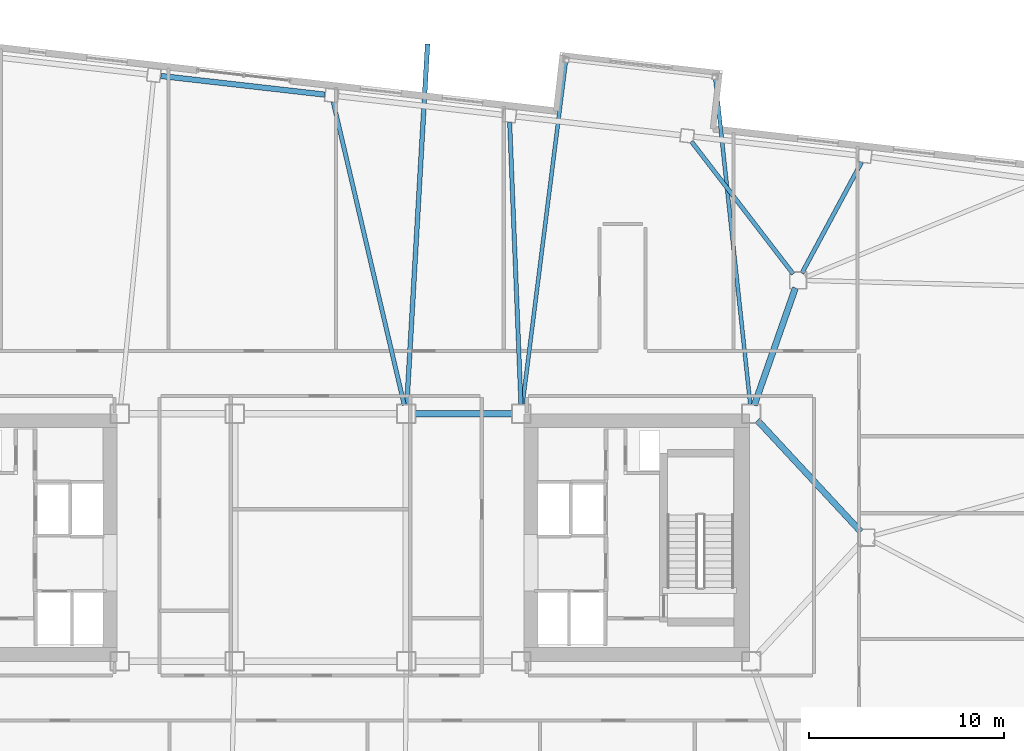
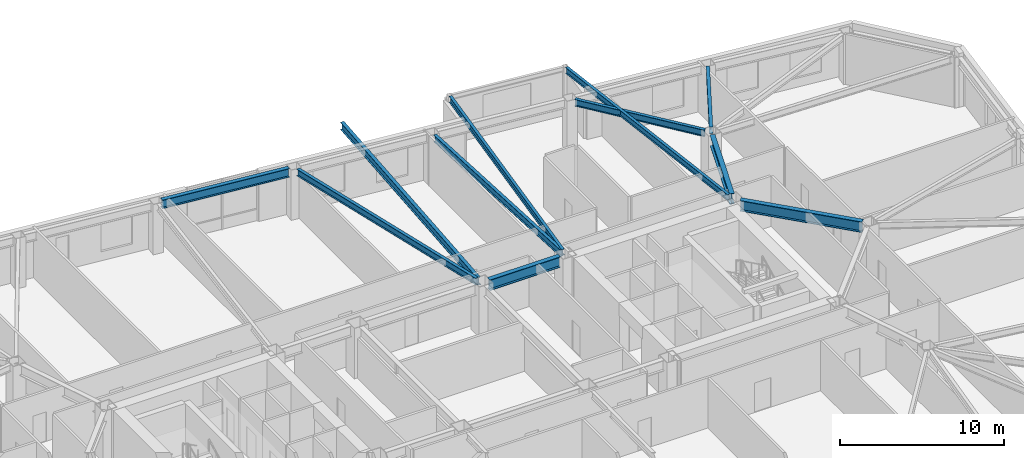
# One storey, part 9 of 21: 11 beams.
"""IFC4 building model written with IfcOpenShell, lengths in metres."""

import ifcopenshell
import ifcopenshell.guid

model = None  # the IFC model being written
_history = None  # IfcOwnerHistory: only IFC2X3 demands one
_inside = {}  # id of a spatial element -> (the spatial element, [elements in it])
_under = {}  # id of a project, library or spatial element -> (it, [spatial elements below it])
_declared = {}  # id of a project -> (the project, [libraries it declares])
_typed = {}  # id of a type object -> (the type object, [elements of that type])
_made_of = {}  # id of a material, layer set ... -> (it, [elements and type objects made of it])


def new_model(schema):
    """Start an empty IFC model of exactly this schema.

    Asked for "IFC4X3", IfcOpenShell would pick the latest addendum, in which some entities
    have other attributes; the version numbers below select the first issue.
    IFC2X3 requires an IfcOwnerHistory on every rooted entity: one is made here for all.
    """
    global model, _history
    if schema == "IFC4X3":
        model = ifcopenshell.file(schema_version=(4, 3, 0, 0))
    else:
        model = ifcopenshell.file(schema=schema)
    _inside.clear()
    _under.clear()
    _declared.clear()
    _typed.clear()
    _made_of.clear()
    _history = None
    if model.schema == "IFC2X3":
        org = make("IfcOrganization", Name="unknown")
        user = make(
            "IfcPersonAndOrganization",
            ThePerson=make("IfcPerson", FamilyName="unknown"),
            TheOrganization=org,
        )
        app = make(
            "IfcApplication",
            ApplicationDeveloper=org,
            Version="unknown",
            ApplicationFullName="unknown",
            ApplicationIdentifier="unknown",
        )
        _history = make(
            "IfcOwnerHistory",
            OwningUser=user,
            OwningApplication=app,
            ChangeAction="ADDED",
            CreationDate=0,
        )
    return model


def make(cls, **values):
    """One entity of the class cls with the attributes given. An attribute that is None is left unset."""
    return model.create_entity(
        cls, **{name: value for name, value in values.items() if value is not None}
    )


def rooted(cls, **values):
    """An entity with a GlobalId (a new one), such as an element, a storey or a relation."""
    return make(cls, GlobalId=ifcopenshell.guid.new(), OwnerHistory=_history, **values)


def si_unit(unit_type, name, prefix=None):
    """IfcSIUnit, for example si_unit("LENGTHUNIT", "METRE", prefix="MILLI")."""
    return make("IfcSIUnit", UnitType=unit_type, Prefix=prefix, Name=name)


def assignment(units):
    """IfcUnitAssignment: the units of a project."""
    return None if units is None else make("IfcUnitAssignment", Units=units)


def point(xyz):
    """IfcCartesianPoint."""
    return None if xyz is None else make("IfcCartesianPoint", Coordinates=xyz)


def direction(xyz):
    """IfcDirection."""
    return None if xyz is None else make("IfcDirection", DirectionRatios=xyz)


def frame(location, z_axis=None, x_axis=None):
    """IfcAxis2Placement3D, a coordinate frame: its origin and axes. An axis left out is left unset."""
    return make(
        "IfcAxis2Placement3D",
        Location=point(location),
        Axis=direction(z_axis),
        RefDirection=direction(x_axis),
    )


def frame_2d(location, x_axis=None):
    """IfcAxis2Placement2D, a coordinate frame in the plane: its origin and x axis."""
    return make(
        "IfcAxis2Placement2D", Location=point(location), RefDirection=direction(x_axis)
    )


def origin():
    """The frame at (0, 0, 0) with its axes left unset."""
    return frame((0.0, 0.0, 0.0))


def origin_2d():
    """The frame at (0, 0) in the plane with its x axis left unset."""
    return frame_2d((0.0, 0.0))


def place(relative_to, where):
    """IfcLocalPlacement: puts the frame where relative to a parent placement (None: the world)."""
    return make(
        "IfcLocalPlacement", PlacementRelTo=relative_to, RelativePlacement=where
    )


def context(
    kind, dimensions, precision=None, world=None, true_north=None, identifier=None
):
    """IfcGeometricRepresentationContext, for example the 3D "Model" context."""
    return make(
        "IfcGeometricRepresentationContext",
        ContextIdentifier=identifier,
        ContextType=kind,
        CoordinateSpaceDimension=dimensions,
        Precision=precision,
        WorldCoordinateSystem=world,
        TrueNorth=true_north,
    )


def subcontext(parent, identifier, kind, view, scale=None):
    """IfcGeometricRepresentationSubContext, for example "Body" below "Model"."""
    return make(
        "IfcGeometricRepresentationSubContext",
        ContextIdentifier=identifier,
        ContextType=kind,
        ParentContext=parent,
        TargetScale=scale,
        TargetView=view,
    )


def project(units=None, contexts=None):
    """IfcProject with its units and contexts."""
    return rooted(
        "IfcProject",
        Name="project",
        RepresentationContexts=contexts,
        UnitsInContext=assignment(units),
    )


def spatial(cls, under=None, at=None, **own):
    """A site, building, storey or space (cls), placed at a placement, below another one or the project."""
    s = rooted(cls, ObjectPlacement=at, **own)
    if under is not None:
        _under.setdefault(under.id(), (under, []))[1].append(s)
    return s


def profile(cls, at=None, kind="AREA", **sizes):
    """A parametric profile (cls). Its sizes go by their IFC names, for example OverallWidth=200.0."""
    return make(cls, ProfileType=kind, Position=at, **sizes)


def i_section(**sizes):
    """IfcIShapeProfileDef."""
    return profile("IfcIShapeProfileDef", **sizes)


def extrude(swept, where, along, depth):
    """IfcExtrudedAreaSolid: the profile swept, set in the frame where, extruded along a direction by depth."""
    return make(
        "IfcExtrudedAreaSolid",
        SweptArea=swept,
        Position=where,
        ExtrudedDirection=direction(along),
        Depth=depth,
    )


def shape(context_of_items, identifier, shape_type, items):
    """IfcShapeRepresentation: the items that make up one representation, for example the "Body"."""
    return make(
        "IfcShapeRepresentation",
        ContextOfItems=context_of_items,
        RepresentationIdentifier=identifier,
        RepresentationType=shape_type,
        Items=items,
    )


def material(Name=None, Category=None):
    """IfcMaterial."""
    return make("IfcMaterial", Name=Name, Category=Category)


def material_profile(
    of_material, cross_section, Name=None, Category=None, Priority=None
):
    """IfcMaterialProfile: a cross section and its material."""
    return make(
        "IfcMaterialProfile",
        Name=Name,
        Material=of_material,
        Profile=cross_section,
        Priority=Priority,
        Category=Category,
    )


def profile_set(profiles, Name=None, composite=None):
    """IfcMaterialProfileSet."""
    return make(
        "IfcMaterialProfileSet",
        Name=Name,
        MaterialProfiles=profiles,
        CompositeProfile=composite,
    )


def made_of(thing, what):
    """Note that an element or type object is made of a material, layer set ...; save() writes the relation."""
    if what is not None:
        _made_of.setdefault(what.id(), (what, []))[1].append(thing)
    return thing


def type_object(cls, material=None, **own):
    """A type object (cls), such as IfcWallType, which elements share."""
    return made_of(rooted(cls, **own), material)


def element(
    cls,
    number,
    at=None,
    inside=None,
    cuts=None,
    type_object=None,
    material=None,
    context=None,
    identifier="Body",
    shape_type=None,
    held_by="IfcProductDefinitionShape",
    body=None,
    shapes=None,
    **own,
):
    """One element of the class cls, such as IfcWall. Its Tag is "e" and its number.

    at: its placement. inside: the storey or other place that contains it. cuts: it is an
    opening in that element (IfcRelVoidsElement). A single representation is given by context,
    identifier, shape_type and body (its items); several are given by shapes. held_by: the class
    of the entity that holds the representations. save() writes the other relations.
    """
    e = rooted(cls, Tag="e%d" % number, ObjectPlacement=at, **own)
    if body is not None:
        shapes = [shape(context, identifier, shape_type, body)]
    if shapes is not None:
        e.Representation = make(held_by, Representations=shapes)
    if inside is not None:
        _inside.setdefault(inside.id(), (inside, []))[1].append(e)
    if cuts is not None:
        rooted(
            "IfcRelVoidsElement", RelatingBuildingElement=cuts, RelatedOpeningElement=e
        )
    if type_object is not None:
        _typed.setdefault(type_object.id(), (type_object, []))[1].append(e)
    return made_of(e, material)


def aggregate(whole, parts):
    """IfcRelAggregates: a whole, such as a stair, and the parts it consists of."""
    return rooted("IfcRelAggregates", RelatingObject=whole, RelatedObjects=parts)


def save(model, path):
    """Write the relations noted so far, then the file.

    IfcRelAggregates (storeys below a building ...), IfcRelContainedInSpatialStructure (elements
    in a storey), IfcRelDefinesByType, IfcRelAssociatesMaterial and IfcRelDeclares: one each for
    every whole, place, type object, material and project.
    """
    for whole, parts in _under.values():
        aggregate(whole, parts)
    for where, things in _inside.values():
        rooted(
            "IfcRelContainedInSpatialStructure",
            RelatedElements=things,
            RelatingStructure=where,
        )
    for kind, things in _typed.values():
        rooted("IfcRelDefinesByType", RelatedObjects=things, RelatingType=kind)
    for what, things in _made_of.values():
        rooted("IfcRelAssociatesMaterial", RelatedObjects=things, RelatingMaterial=what)
    for by, libraries in _declared.values():
        rooted("IfcRelDeclares", RelatingContext=by, RelatedDefinitions=libraries)
    model.write(path)


model = new_model("IFC4")

# Units and contexts
model_context = context("Model", 3, precision=1e-05, world=origin(), true_north=direction((0.0, 1.0)))
body_context = subcontext(model_context, "Body", "Model", "MODEL_VIEW")
ifc_project = project(units=[si_unit("LENGTHUNIT", "METRE"), si_unit("AREAUNIT", "SQUARE_METRE"), si_unit("VOLUMEUNIT", "CUBIC_METRE"), si_unit("PLANEANGLEUNIT", "RADIAN"), si_unit("MASSUNIT", "GRAM", prefix="KILO")], contexts=[model_context])

# Site, building, storey
site_placement = place(None, origin())
site = spatial("IfcSite", under=ifc_project, at=site_placement, CompositionType="ELEMENT")
building_placement = place(site_placement, origin())
building = spatial("IfcBuilding", under=site, at=building_placement, Name="Tavrogorsk Clinical Tower", CompositionType="ELEMENT")
storey_placement = place(building_placement, frame((0.0, 0.0, 121.39990234375)))
storey = spatial("IfcBuildingStorey", under=building, at=storey_placement, Name="L27", CompositionType="ELEMENT", Elevation=121.39990234375)

# Beams
ifc_material_1 = material(Name="Structural steel S355", Category="steel")
ifc_material_profile_1 = material_profile(ifc_material_1, i_section(OverallWidth=0.199951171875, OverallDepth=0.449951171875, WebThickness=0.011474609375, FlangeThickness=0.01806640625, at=origin_2d()), Name="B-450x200x11.5x18")
ifc_profile_set_1 = profile_set([ifc_material_profile_1], Name="Structural steel S355")
beam_type_1 = type_object("IfcBeamType", Name="FloorBeam_B450", PredefinedType="BEAM", material=ifc_profile_set_1)
beam_1_placement = place(storey_placement, frame((10.357666015625, 6.806396484375, 3.51513671875), z_axis=(0.125313964382, 0.992117135388, 0.0), x_axis=(-0.992117135388, 0.125313964382, 0.0)))
element("IfcBeam", 1, at=beam_1_placement, inside=storey, type_object=beam_type_1, Name="L27 Day-Room Cantilever Beam DRB-04-L", PredefinedType="BEAM", context=body_context, shape_type="SweptSolid", body=[
    extrude(i_section(OverallWidth=0.199951171875, OverallDepth=0.449951171875, WebThickness=0.011474609375, FlangeThickness=0.01806640625, at=origin_2d()), origin(), (0.0, 0.0, 1.0), 17.70947265625),
])
beam_2_placement = place(storey_placement, frame((22.051025390625, 6.807373046875, 3.51513671875), z_axis=(-0.106655298552, 0.994296056158, 0.0), x_axis=(-0.994296056158, -0.106655298552, 0.0)))
element("IfcBeam", 2, at=beam_2_placement, inside=storey, type_object=beam_type_1, Name="L27 Day-Room Cantilever Beam DRB-04-R", PredefinedType="BEAM", context=body_context, shape_type="SweptSolid", body=[
    extrude(i_section(OverallWidth=0.199951171875, OverallDepth=0.449951171875, WebThickness=0.011474609375, FlangeThickness=0.01806640625, at=origin_2d()), origin(), (0.0, 0.0, 1.0), 16.79248046875),
])
ifc_material_2 = material(Name="Structural steel S355", Category="steel")
ifc_material_profile_2 = material_profile(ifc_material_2, i_section(OverallWidth=0.219970703125, OverallDepth=0.5, WebThickness=0.012939453125, FlangeThickness=0.02001953125, at=origin_2d()), Name="B-500x220x13x20")
ifc_profile_set_2 = profile_set([ifc_material_profile_2], Name="Structural steel S355")
beam_type_2 = type_object("IfcBeamType", Name="FloorBeam_B500", PredefinedType="BEAM", material=ifc_profile_set_2)
beam_3_placement = place(storey_placement, frame((24.6943359375, 13.56103515625, 3.489990234375), z_axis=(0.473788919736, 0.880638438597, 0.0), x_axis=(-0.880638438597, 0.473788919736, 0.0)))
element("IfcBeam", 3, at=beam_3_placement, inside=storey, type_object=beam_type_2, Name="L27 Radial Floor Beam N2", PredefinedType="BEAM", context=body_context, shape_type="SweptSolid", body=[
    extrude(i_section(OverallWidth=0.219970703125, OverallDepth=0.5, WebThickness=0.012939453125, FlangeThickness=0.02001953125, at=origin_2d()), origin(), (0.0, 0.0, 1.0), 6.462890625),
])
beam_4_placement = place(storey_placement, frame((24.250244140625, 13.525146484375, 3.489990234375), z_axis=(-0.609376288757, 0.792881163038, 0.0), x_axis=(-0.792881163038, -0.609376288757, 0.0)))
element("IfcBeam", 4, at=beam_4_placement, inside=storey, type_object=beam_type_2, Name="L27 Radial Floor Beam N3", PredefinedType="BEAM", context=body_context, shape_type="SweptSolid", body=[
    extrude(i_section(OverallWidth=0.219970703125, OverallDepth=0.5, WebThickness=0.012939453125, FlangeThickness=0.02001953125, at=origin_2d()), origin(), (0.0, 0.0, 1.0), 8.5732421875),
])
beam_5_placement = place(storey_placement, frame((10.28173828125, 6.8095703125, 3.489990234375), z_axis=(-0.039881908424, 0.999204400201, 0.0), x_axis=(-0.999204400201, -0.039881908424, 0.0)))
element("IfcBeam", 5, at=beam_5_placement, inside=storey, type_object=beam_type_2, Name="L27 Radial Floor Beam N4", PredefinedType="BEAM", context=body_context, shape_type="SweptSolid", body=[
    extrude(i_section(OverallWidth=0.219970703125, OverallDepth=0.5, WebThickness=0.012939453125, FlangeThickness=0.02001953125, at=origin_2d()), origin(), (0.0, 0.0, 1.0), 14.48974609375),
])
beam_6_placement = place(storey_placement, frame((4.294921875, 6.7978515625, 3.489990234375), z_axis=(-0.228197667081, 0.973614823603, 0.0), x_axis=(-0.973614823603, -0.228197667081, 0.0)))
element("IfcBeam", 6, at=beam_6_placement, inside=storey, type_object=beam_type_2, Name="L27 Radial Floor Beam N5", PredefinedType="BEAM", context=body_context, shape_type="SweptSolid", body=[
    extrude(i_section(OverallWidth=0.219970703125, OverallDepth=0.5, WebThickness=0.012939453125, FlangeThickness=0.02001953125, at=origin_2d()), origin(), (0.0, 0.0, 1.0), 15.959228515625),
])
ifc_material_3 = material(Name="Structural steel S390", Category="steel")
ifc_material_profile_3 = material_profile(ifc_material_3, i_section(OverallWidth=0.320068359375, OverallDepth=0.800048828125, WebThickness=0.02001953125, FlangeThickness=0.033935546875, at=origin_2d()), Name="B-800x320x20x34")
ifc_profile_set_3 = profile_set([ifc_material_profile_3], Name="Structural steel S390")
beam_type_3 = type_object("IfcBeamType", Name="PrimaryGirder_B800", PredefinedType="USERDEFINED", material=ifc_profile_set_3)
beam_7_placement = place(storey_placement, frame((4.860107421875, 6.35009765625, 3.340087890625), z_axis=(1.0, 0.0, 0.0), x_axis=(0.0, 1.0, 0.0)))
element("IfcBeam", 7, at=beam_7_placement, inside=storey, type_object=beam_type_3, Name="L27 Primary Spine Girder MG-06", ObjectType="GIRDER", PredefinedType="USERDEFINED", context=body_context, shape_type="SweptSolid", body=[
    extrude(i_section(OverallWidth=0.320068359375, OverallDepth=0.800048828125, WebThickness=0.02001953125, FlangeThickness=0.033935546875, at=origin_2d()), origin(), (0.0, 0.0, 1.0), 4.97998046875),
])
beam_8_placement = place(storey_placement, frame((24.364501953125, 12.81298828125, 3.340087890625), z_axis=(-0.330660234815, -0.943749865755, 0.0), x_axis=(0.943749865755, -0.330660234815, 0.0)))
element("IfcBeam", 8, at=beam_8_placement, inside=storey, type_object=beam_type_3, Name="L27 Spine Link Girder OPG-4", ObjectType="GIRDER", PredefinedType="USERDEFINED", context=body_context, shape_type="SweptSolid", body=[
    extrude(i_section(OverallWidth=0.320068359375, OverallDepth=0.800048828125, WebThickness=0.02001953125, FlangeThickness=0.033935546875, at=origin_2d()), origin(), (0.0, 0.0, 1.0), 6.38818359375),
])
beam_9_placement = place(storey_placement, frame((27.720947265625, 0.30029296875, 3.340087890625), z_axis=(-0.680675630035, 0.732584934787, 0.0), x_axis=(-0.732584934787, -0.680675630035, 0.0)))
element("IfcBeam", 9, at=beam_9_placement, inside=storey, type_object=beam_type_3, Name="L27 Spine Link Girder OPG-8", ObjectType="GIRDER", PredefinedType="USERDEFINED", context=body_context, shape_type="SweptSolid", body=[
    extrude(i_section(OverallWidth=0.320068359375, OverallDepth=0.800048828125, WebThickness=0.02001953125, FlangeThickness=0.033935546875, at=origin_2d()), origin(), (0.0, 0.0, 1.0), 7.7978515625),
])
ifc_material_4 = material(Name="Structural steel S390", Category="steel")
ifc_material_profile_4 = material_profile(ifc_material_4, i_section(OverallWidth=0.239990234375, OverallDepth=0.550048828125, WebThickness=0.013916015625, FlangeThickness=0.02197265625, at=origin_2d()), Name="B-550x240x14x22")
ifc_profile_set_4 = profile_set([ifc_material_profile_4], Name="Structural steel S390")
beam_type_4 = type_object("IfcBeamType", Name="SpandrelBeam_B550", PredefinedType="SPANDREL", material=ifc_profile_set_4)
beam_10_placement = place(storey_placement, frame((4.42626953125, 6.809326171875, 3.445068359375), z_axis=(0.057383071652, 0.998352233977, 0.0), x_axis=(-0.998352233977, 0.057383071652, 0.0)))
element("IfcBeam", 10, at=beam_10_placement, inside=storey, type_object=beam_type_4, Name="L28 Spiral Terrace Cantilever Beam 2", PredefinedType="SPANDREL", context=body_context, shape_type="SweptSolid", body=[
    extrude(i_section(OverallWidth=0.239990234375, OverallDepth=0.550048828125, WebThickness=0.013916015625, FlangeThickness=0.02197265625, at=origin_2d()), origin(), (0.0, 0.0, 1.0), 18.545654296875),
])
ifc_material_5 = material(Name="Structural steel S390", Category="steel")
ifc_material_profile_5 = material_profile(ifc_material_5, i_section(OverallWidth=0.280029296875, OverallDepth=0.64990234375, WebThickness=0.01611328125, FlangeThickness=0.02490234375, at=origin_2d()), Name="B-650x280x16x25")
ifc_profile_set_5 = profile_set([ifc_material_profile_5], Name="Structural steel S390")
beam_type_5 = type_object("IfcBeamType", Name="SpandrelBeam_B650", PredefinedType="SPANDREL", material=ifc_profile_set_5)
beam_11_placement = place(storey_placement, frame((0.2158203125, 22.724853515625, 3.4150390625), z_axis=(-0.993569819641, 0.113221082395, 0.0), x_axis=(-0.113221082395, -0.993569819641, 0.0)))
element("IfcBeam", 11, at=beam_11_placement, inside=storey, type_object=beam_type_5, Name="L27 Perimeter Spandrel N5-N6", PredefinedType="SPANDREL", context=body_context, shape_type="SweptSolid", body=[
    extrude(i_section(OverallWidth=0.280029296875, OverallDepth=0.64990234375, WebThickness=0.01611328125, FlangeThickness=0.02490234375, at=origin_2d()), origin(), (0.0, 0.0, 1.0), 8.46142578125),
])

save(model, "model.ifc")
